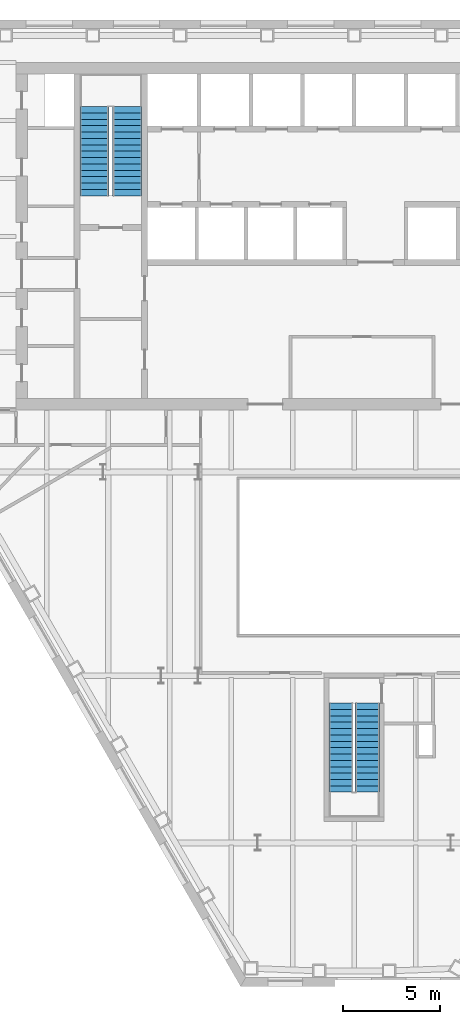
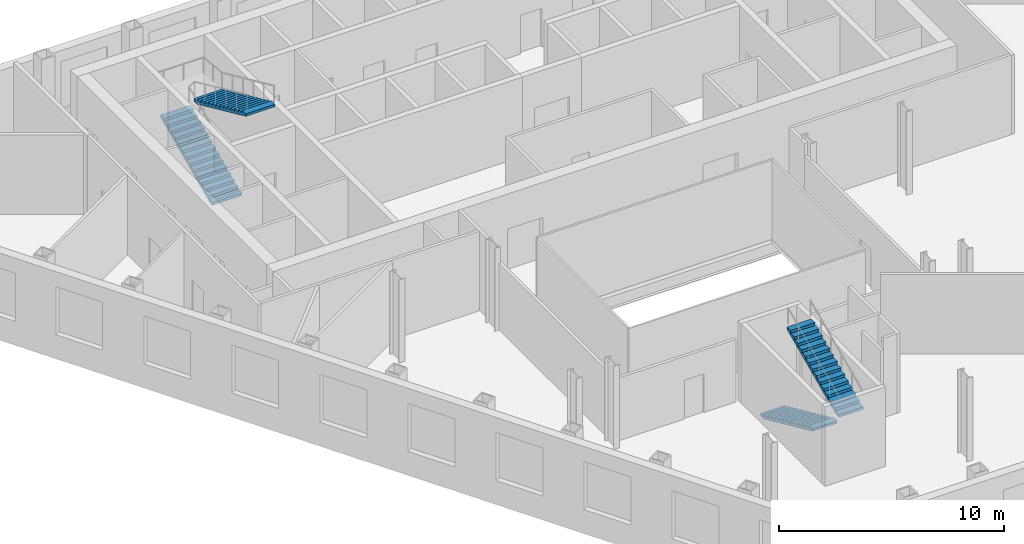
# One storey, part 9 of 11: 4 stair flights, 2 elements without a shape of their own.
"""IFC4 building model written with IfcOpenShell, lengths in metres."""

from ifc_helpers import new_model, si_unit, direction, frame, origin, place, context, subcontext, project, spatial, polygons, material, type_object, element, aggregate, save


model = new_model("IFC4")

# Units and contexts
model_context = context("Model", 3, precision=1e-05, world=origin(), true_north=direction((0.0, 1.0)))
body_context = subcontext(model_context, "Body", "Model", "MODEL_VIEW")
ifc_project = project(units=[si_unit("LENGTHUNIT", "METRE"), si_unit("AREAUNIT", "SQUARE_METRE"), si_unit("VOLUMEUNIT", "CUBIC_METRE"), si_unit("PLANEANGLEUNIT", "RADIAN"), si_unit("MASSUNIT", "GRAM", prefix="KILO")], contexts=[model_context])

# Site, building, storey
site_placement = place(None, origin())
site = spatial("IfcSite", under=ifc_project, at=site_placement, CompositionType="ELEMENT")
building_placement = place(site_placement, origin())
building = spatial("IfcBuilding", under=site, at=building_placement, Name="Njiva Tower", CompositionType="ELEMENT")
storey_placement = place(building_placement, frame((0.0, 0.0, 42.3)))
storey = spatial("IfcBuildingStorey", under=building, at=storey_placement, Name="L08", CompositionType="ELEMENT", Elevation=42.3)

# Stair, stair flights
ifc_material = material(Name="Concrete C40/50", Category="concrete")
stair_type_1 = type_object("IfcStairType", Name="ST1 Exit stair 1250", PredefinedType="HALF_TURN_STAIR", material=ifc_material)
stair_1_placement = place(storey_placement, origin())
stair_1 = element("IfcStair", 1, at=stair_1_placement, inside=storey, type_object=stair_type_1, Name="Stair C", PredefinedType="HALF_TURN_STAIR")
stair_flight_type_1 = type_object("IfcStairFlightType", Name="FL1 Stair flight 1250", PredefinedType="STRAIGHT", material=ifc_material)
stair_flight_1_placement = place(storey_placement, frame((-0.675, -15.16, 0.0), z_axis=(0.0, 0.0, 1.0), x_axis=(0.0, -1.0, 0.0)))
stair_flight_1 = element("IfcStairFlight", 2, at=stair_flight_1_placement, type_object=stair_flight_type_1, Name="ST-C flight 1", NumberOfRisers=15, NumberOfTreads=14, PredefinedType="STRAIGHT", RiserHeight=0.15, TreadLength=0.33, context=body_context, shape_type="Tessellation", body=[
    polygons([(0.0, 0.625, 0.0), (0.0, 0.3125, 0.0), (0.0, 0.0, 0.0), (0.0, -0.3125, 0.0), (0.0, -0.625, 0.0), (0.0, 0.625, 0.15), (0.0, 0.3125, 0.15), (0.0, 0.0, 0.15), (0.0, -0.3125, 0.15), (0.0, -0.625, 0.15), (0.33, 0.625, 0.15), (0.33, 0.3125, 0.15), (0.33, 0.0, 0.15), (0.33, -0.3125, 0.15), (0.33, -0.625, 0.15), (0.33, 0.625, 0.3), (0.33, 0.3125, 0.3), (0.33, 0.0, 0.3), (0.33, -0.3125, 0.3), (0.33, -0.625, 0.3), (0.66, 0.625, 0.3), (0.66, 0.3125, 0.3), (0.66, 0.0, 0.3), (0.66, -0.3125, 0.3), (0.66, -0.625, 0.3), (0.66, 0.625, 0.45), (0.66, 0.3125, 0.45), (0.66, 0.0, 0.45), (0.66, -0.3125, 0.45), (0.66, -0.625, 0.45), (0.99, 0.625, 0.45), (0.99, 0.3125, 0.45), (0.99, 0.0, 0.45), (0.99, -0.3125, 0.45), (0.99, -0.625, 0.45), (0.99, 0.625, 0.6), (0.99, 0.3125, 0.6), (0.99, 0.0, 0.6), (0.99, -0.3125, 0.6), (0.99, -0.625, 0.6), (1.32, 0.625, 0.6), (1.32, 0.3125, 0.6), (1.32, 0.0, 0.6), (1.32, -0.3125, 0.6), (1.32, -0.625, 0.6), (1.32, 0.625, 0.75), (1.32, 0.3125, 0.75), (1.32, 0.0, 0.75), (1.32, -0.3125, 0.75), (1.32, -0.625, 0.75), (1.65, 0.625, 0.75), (1.65, 0.3125, 0.75), (1.65, 0.0, 0.75), (1.65, -0.3125, 0.75), (1.65, -0.625, 0.75), (1.65, 0.625, 0.9), (1.65, 0.3125, 0.9), (1.65, 0.0, 0.9), (1.65, -0.3125, 0.9), (1.65, -0.625, 0.9), (1.98, 0.625, 0.9), (1.98, 0.3125, 0.9), (1.98, 0.0, 0.9), (1.98, -0.3125, 0.9), (1.98, -0.625, 0.9), (1.98, 0.625, 1.05), (1.98, 0.3125, 1.05), (1.98, 0.0, 1.05), (1.98, -0.3125, 1.05), (1.98, -0.625, 1.05), (2.31, 0.625, 1.05), (2.31, 0.3125, 1.05), (2.31, 0.0, 1.05), (2.31, -0.3125, 1.05), (2.31, -0.625, 1.05), (2.31, 0.625, 1.2), (2.31, 0.3125, 1.2), (2.31, 0.0, 1.2), (2.31, -0.3125, 1.2), (2.31, -0.625, 1.2), (2.64, 0.625, 1.2), (2.64, 0.3125, 1.2), (2.64, 0.0, 1.2), (2.64, -0.3125, 1.2), (2.64, -0.625, 1.2), (2.64, 0.625, 1.35), (2.64, 0.3125, 1.35), (2.64, 0.0, 1.35), (2.64, -0.3125, 1.35), (2.64, -0.625, 1.35), (2.97, 0.625, 1.35), (2.97, 0.3125, 1.35), (2.97, 0.0, 1.35), (2.97, -0.3125, 1.35), (2.97, -0.625, 1.35), (2.97, 0.625, 1.5), (2.97, 0.3125, 1.5), (2.97, 0.0, 1.5), (2.97, -0.3125, 1.5), (2.97, -0.625, 1.5), (3.3, 0.625, 1.5), (3.3, 0.3125, 1.5), (3.3, 0.0, 1.5), (3.3, -0.3125, 1.5), (3.3, -0.625, 1.5), (3.3, 0.625, 1.65), (3.3, 0.3125, 1.65), (3.3, 0.0, 1.65), (3.3, -0.3125, 1.65), (3.3, -0.625, 1.65), (3.63, 0.625, 1.65), (3.63, 0.3125, 1.65), (3.63, 0.0, 1.65), (3.63, -0.3125, 1.65), (3.63, -0.625, 1.65), (3.63, 0.625, 1.8), (3.63, 0.3125, 1.8), (3.63, 0.0, 1.8), (3.63, -0.3125, 1.8), (3.63, -0.625, 1.8), (3.96, 0.625, 1.8), (3.96, 0.3125, 1.8), (3.96, 0.0, 1.8), (3.96, -0.3125, 1.8), (3.96, -0.625, 1.8), (3.96, 0.625, 1.95), (3.96, 0.3125, 1.95), (3.96, 0.0, 1.95), (3.96, -0.3125, 1.95), (3.96, -0.625, 1.95), (4.29, 0.625, 1.95), (4.29, 0.3125, 1.95), (4.29, 0.0, 1.95), (4.29, -0.3125, 1.95), (4.29, -0.625, 1.95), (4.29, 0.625, 2.1), (4.29, 0.3125, 2.1), (4.29, 0.0, 2.1), (4.29, -0.3125, 2.1), (4.29, -0.625, 2.1), (4.62, 0.625, 2.1), (4.62, 0.3125, 2.1), (4.62, 0.0, 2.1), (4.62, -0.3125, 2.1), (4.62, -0.625, 2.1), (4.62, 0.625, 1.9682), (4.62, 0.3125, 1.9682), (4.62, 0.0, 1.9682), (4.62, -0.3125, 1.9682), (4.62, -0.625, 1.9682), (0.29, 0.625, 0.0), (0.29, 0.3125, 0.0), (0.29, 0.0, 0.0), (0.29, -0.3125, 0.0), (0.29, -0.625, 0.0)], [[[1, 6, 11, 16, 21, 26, 31, 36, 41, 46, 51, 56, 61, 66, 71, 76, 81, 86, 91, 96, 101, 106, 111, 116, 121, 126, 131, 136, 141, 146, 151]], [[155, 150, 145, 140, 135, 130, 125, 120, 115, 110, 105, 100, 95, 90, 85, 80, 75, 70, 65, 60, 55, 50, 45, 40, 35, 30, 25, 20, 15, 10, 5]], [[6, 1, 2, 7]], [[7, 2, 3, 8]], [[8, 3, 4, 9]], [[9, 4, 5, 10]], [[11, 6, 7, 12]], [[12, 7, 8, 13]], [[13, 8, 9, 14]], [[14, 9, 10, 15]], [[16, 11, 12, 17]], [[17, 12, 13, 18]], [[18, 13, 14, 19]], [[19, 14, 15, 20]], [[21, 16, 17, 22]], [[22, 17, 18, 23]], [[23, 18, 19, 24]], [[24, 19, 20, 25]], [[26, 21, 22, 27]], [[27, 22, 23, 28]], [[28, 23, 24, 29]], [[29, 24, 25, 30]], [[31, 26, 27, 32]], [[32, 27, 28, 33]], [[33, 28, 29, 34]], [[34, 29, 30, 35]], [[36, 31, 32, 37]], [[37, 32, 33, 38]], [[38, 33, 34, 39]], [[39, 34, 35, 40]], [[41, 36, 37, 42]], [[42, 37, 38, 43]], [[43, 38, 39, 44]], [[44, 39, 40, 45]], [[46, 41, 42, 47]], [[47, 42, 43, 48]], [[48, 43, 44, 49]], [[49, 44, 45, 50]], [[51, 46, 47, 52]], [[52, 47, 48, 53]], [[53, 48, 49, 54]], [[54, 49, 50, 55]], [[56, 51, 52, 57]], [[57, 52, 53, 58]], [[58, 53, 54, 59]], [[59, 54, 55, 60]], [[61, 56, 57, 62]], [[62, 57, 58, 63]], [[63, 58, 59, 64]], [[64, 59, 60, 65]], [[66, 61, 62, 67]], [[67, 62, 63, 68]], [[68, 63, 64, 69]], [[69, 64, 65, 70]], [[71, 66, 67, 72]], [[72, 67, 68, 73]], [[73, 68, 69, 74]], [[74, 69, 70, 75]], [[76, 71, 72, 77]], [[77, 72, 73, 78]], [[78, 73, 74, 79]], [[79, 74, 75, 80]], [[81, 76, 77, 82]], [[82, 77, 78, 83]], [[83, 78, 79, 84]], [[84, 79, 80, 85]], [[86, 81, 82, 87]], [[87, 82, 83, 88]], [[88, 83, 84, 89]], [[89, 84, 85, 90]], [[91, 86, 87, 92]], [[92, 87, 88, 93]], [[93, 88, 89, 94]], [[94, 89, 90, 95]], [[96, 91, 92, 97]], [[97, 92, 93, 98]], [[98, 93, 94, 99]], [[99, 94, 95, 100]], [[101, 96, 97, 102]], [[102, 97, 98, 103]], [[103, 98, 99, 104]], [[104, 99, 100, 105]], [[106, 101, 102, 107]], [[107, 102, 103, 108]], [[108, 103, 104, 109]], [[109, 104, 105, 110]], [[111, 106, 107, 112]], [[112, 107, 108, 113]], [[113, 108, 109, 114]], [[114, 109, 110, 115]], [[116, 111, 112, 117]], [[117, 112, 113, 118]], [[118, 113, 114, 119]], [[119, 114, 115, 120]], [[121, 116, 117, 122]], [[122, 117, 118, 123]], [[123, 118, 119, 124]], [[124, 119, 120, 125]], [[126, 121, 122, 127]], [[127, 122, 123, 128]], [[128, 123, 124, 129]], [[129, 124, 125, 130]], [[131, 126, 127, 132]], [[132, 127, 128, 133]], [[133, 128, 129, 134]], [[134, 129, 130, 135]], [[136, 131, 132, 137]], [[137, 132, 133, 138]], [[138, 133, 134, 139]], [[139, 134, 135, 140]], [[141, 136, 137, 142]], [[142, 137, 138, 143]], [[143, 138, 139, 144]], [[144, 139, 140, 145]], [[146, 141, 142, 147]], [[147, 142, 143, 148]], [[148, 143, 144, 149]], [[149, 144, 145, 150]], [[151, 146, 147, 152]], [[152, 147, 148, 153]], [[153, 148, 149, 154]], [[154, 149, 150, 155]], [[1, 151, 152, 2]], [[2, 152, 153, 3]], [[3, 153, 154, 4]], [[4, 154, 155, 5]]], closed=True),
])
stair_flight_2_placement = place(storey_placement, frame((0.675, -19.78, 2.25), z_axis=(0.0, 0.0, 1.0), x_axis=(0.0, 1.0, 0.0)))
stair_flight_2 = element("IfcStairFlight", 3, at=stair_flight_2_placement, type_object=stair_flight_type_1, Name="ST-C flight 2", NumberOfRisers=15, NumberOfTreads=14, PredefinedType="STRAIGHT", RiserHeight=0.15, TreadLength=0.33, context=body_context, shape_type="Tessellation", body=[
    polygons([(0.0, 0.625, 0.0), (0.0, 0.3125, 0.0), (0.0, 0.0, 0.0), (0.0, -0.3125, 0.0), (0.0, -0.625, 0.0), (0.0, 0.625, 0.15), (0.0, 0.3125, 0.15), (0.0, 0.0, 0.15), (0.0, -0.3125, 0.15), (0.0, -0.625, 0.15), (0.33, 0.625, 0.15), (0.33, 0.3125, 0.15), (0.33, 0.0, 0.15), (0.33, -0.3125, 0.15), (0.33, -0.625, 0.15), (0.33, 0.625, 0.3), (0.33, 0.3125, 0.3), (0.33, 0.0, 0.3), (0.33, -0.3125, 0.3), (0.33, -0.625, 0.3), (0.66, 0.625, 0.3), (0.66, 0.3125, 0.3), (0.66, 0.0, 0.3), (0.66, -0.3125, 0.3), (0.66, -0.625, 0.3), (0.66, 0.625, 0.45), (0.66, 0.3125, 0.45), (0.66, 0.0, 0.45), (0.66, -0.3125, 0.45), (0.66, -0.625, 0.45), (0.99, 0.625, 0.45), (0.99, 0.3125, 0.45), (0.99, 0.0, 0.45), (0.99, -0.3125, 0.45), (0.99, -0.625, 0.45), (0.99, 0.625, 0.6), (0.99, 0.3125, 0.6), (0.99, 0.0, 0.6), (0.99, -0.3125, 0.6), (0.99, -0.625, 0.6), (1.32, 0.625, 0.6), (1.32, 0.3125, 0.6), (1.32, 0.0, 0.6), (1.32, -0.3125, 0.6), (1.32, -0.625, 0.6), (1.32, 0.625, 0.75), (1.32, 0.3125, 0.75), (1.32, 0.0, 0.75), (1.32, -0.3125, 0.75), (1.32, -0.625, 0.75), (1.65, 0.625, 0.75), (1.65, 0.3125, 0.75), (1.65, 0.0, 0.75), (1.65, -0.3125, 0.75), (1.65, -0.625, 0.75), (1.65, 0.625, 0.9), (1.65, 0.3125, 0.9), (1.65, 0.0, 0.9), (1.65, -0.3125, 0.9), (1.65, -0.625, 0.9), (1.98, 0.625, 0.9), (1.98, 0.3125, 0.9), (1.98, 0.0, 0.9), (1.98, -0.3125, 0.9), (1.98, -0.625, 0.9), (1.98, 0.625, 1.05), (1.98, 0.3125, 1.05), (1.98, 0.0, 1.05), (1.98, -0.3125, 1.05), (1.98, -0.625, 1.05), (2.31, 0.625, 1.05), (2.31, 0.3125, 1.05), (2.31, 0.0, 1.05), (2.31, -0.3125, 1.05), (2.31, -0.625, 1.05), (2.31, 0.625, 1.2), (2.31, 0.3125, 1.2), (2.31, 0.0, 1.2), (2.31, -0.3125, 1.2), (2.31, -0.625, 1.2), (2.64, 0.625, 1.2), (2.64, 0.3125, 1.2), (2.64, 0.0, 1.2), (2.64, -0.3125, 1.2), (2.64, -0.625, 1.2), (2.64, 0.625, 1.35), (2.64, 0.3125, 1.35), (2.64, 0.0, 1.35), (2.64, -0.3125, 1.35), (2.64, -0.625, 1.35), (2.97, 0.625, 1.35), (2.97, 0.3125, 1.35), (2.97, 0.0, 1.35), (2.97, -0.3125, 1.35), (2.97, -0.625, 1.35), (2.97, 0.625, 1.5), (2.97, 0.3125, 1.5), (2.97, 0.0, 1.5), (2.97, -0.3125, 1.5), (2.97, -0.625, 1.5), (3.3, 0.625, 1.5), (3.3, 0.3125, 1.5), (3.3, 0.0, 1.5), (3.3, -0.3125, 1.5), (3.3, -0.625, 1.5), (3.3, 0.625, 1.65), (3.3, 0.3125, 1.65), (3.3, 0.0, 1.65), (3.3, -0.3125, 1.65), (3.3, -0.625, 1.65), (3.63, 0.625, 1.65), (3.63, 0.3125, 1.65), (3.63, 0.0, 1.65), (3.63, -0.3125, 1.65), (3.63, -0.625, 1.65), (3.63, 0.625, 1.8), (3.63, 0.3125, 1.8), (3.63, 0.0, 1.8), (3.63, -0.3125, 1.8), (3.63, -0.625, 1.8), (3.96, 0.625, 1.8), (3.96, 0.3125, 1.8), (3.96, 0.0, 1.8), (3.96, -0.3125, 1.8), (3.96, -0.625, 1.8), (3.96, 0.625, 1.95), (3.96, 0.3125, 1.95), (3.96, 0.0, 1.95), (3.96, -0.3125, 1.95), (3.96, -0.625, 1.95), (4.29, 0.625, 1.95), (4.29, 0.3125, 1.95), (4.29, 0.0, 1.95), (4.29, -0.3125, 1.95), (4.29, -0.625, 1.95), (4.29, 0.625, 2.1), (4.29, 0.3125, 2.1), (4.29, 0.0, 2.1), (4.29, -0.3125, 2.1), (4.29, -0.625, 2.1), (4.62, 0.625, 2.1), (4.62, 0.3125, 2.1), (4.62, 0.0, 2.1), (4.62, -0.3125, 2.1), (4.62, -0.625, 2.1), (4.62, 0.625, 1.9682), (4.62, 0.3125, 1.9682), (4.62, 0.0, 1.9682), (4.62, -0.3125, 1.9682), (4.62, -0.625, 1.9682), (0.29, 0.625, 0.0), (0.29, 0.3125, 0.0), (0.29, 0.0, 0.0), (0.29, -0.3125, 0.0), (0.29, -0.625, 0.0)], [[[1, 6, 11, 16, 21, 26, 31, 36, 41, 46, 51, 56, 61, 66, 71, 76, 81, 86, 91, 96, 101, 106, 111, 116, 121, 126, 131, 136, 141, 146, 151]], [[155, 150, 145, 140, 135, 130, 125, 120, 115, 110, 105, 100, 95, 90, 85, 80, 75, 70, 65, 60, 55, 50, 45, 40, 35, 30, 25, 20, 15, 10, 5]], [[6, 1, 2, 7]], [[7, 2, 3, 8]], [[8, 3, 4, 9]], [[9, 4, 5, 10]], [[11, 6, 7, 12]], [[12, 7, 8, 13]], [[13, 8, 9, 14]], [[14, 9, 10, 15]], [[16, 11, 12, 17]], [[17, 12, 13, 18]], [[18, 13, 14, 19]], [[19, 14, 15, 20]], [[21, 16, 17, 22]], [[22, 17, 18, 23]], [[23, 18, 19, 24]], [[24, 19, 20, 25]], [[26, 21, 22, 27]], [[27, 22, 23, 28]], [[28, 23, 24, 29]], [[29, 24, 25, 30]], [[31, 26, 27, 32]], [[32, 27, 28, 33]], [[33, 28, 29, 34]], [[34, 29, 30, 35]], [[36, 31, 32, 37]], [[37, 32, 33, 38]], [[38, 33, 34, 39]], [[39, 34, 35, 40]], [[41, 36, 37, 42]], [[42, 37, 38, 43]], [[43, 38, 39, 44]], [[44, 39, 40, 45]], [[46, 41, 42, 47]], [[47, 42, 43, 48]], [[48, 43, 44, 49]], [[49, 44, 45, 50]], [[51, 46, 47, 52]], [[52, 47, 48, 53]], [[53, 48, 49, 54]], [[54, 49, 50, 55]], [[56, 51, 52, 57]], [[57, 52, 53, 58]], [[58, 53, 54, 59]], [[59, 54, 55, 60]], [[61, 56, 57, 62]], [[62, 57, 58, 63]], [[63, 58, 59, 64]], [[64, 59, 60, 65]], [[66, 61, 62, 67]], [[67, 62, 63, 68]], [[68, 63, 64, 69]], [[69, 64, 65, 70]], [[71, 66, 67, 72]], [[72, 67, 68, 73]], [[73, 68, 69, 74]], [[74, 69, 70, 75]], [[76, 71, 72, 77]], [[77, 72, 73, 78]], [[78, 73, 74, 79]], [[79, 74, 75, 80]], [[81, 76, 77, 82]], [[82, 77, 78, 83]], [[83, 78, 79, 84]], [[84, 79, 80, 85]], [[86, 81, 82, 87]], [[87, 82, 83, 88]], [[88, 83, 84, 89]], [[89, 84, 85, 90]], [[91, 86, 87, 92]], [[92, 87, 88, 93]], [[93, 88, 89, 94]], [[94, 89, 90, 95]], [[96, 91, 92, 97]], [[97, 92, 93, 98]], [[98, 93, 94, 99]], [[99, 94, 95, 100]], [[101, 96, 97, 102]], [[102, 97, 98, 103]], [[103, 98, 99, 104]], [[104, 99, 100, 105]], [[106, 101, 102, 107]], [[107, 102, 103, 108]], [[108, 103, 104, 109]], [[109, 104, 105, 110]], [[111, 106, 107, 112]], [[112, 107, 108, 113]], [[113, 108, 109, 114]], [[114, 109, 110, 115]], [[116, 111, 112, 117]], [[117, 112, 113, 118]], [[118, 113, 114, 119]], [[119, 114, 115, 120]], [[121, 116, 117, 122]], [[122, 117, 118, 123]], [[123, 118, 119, 124]], [[124, 119, 120, 125]], [[126, 121, 122, 127]], [[127, 122, 123, 128]], [[128, 123, 124, 129]], [[129, 124, 125, 130]], [[131, 126, 127, 132]], [[132, 127, 128, 133]], [[133, 128, 129, 134]], [[134, 129, 130, 135]], [[136, 131, 132, 137]], [[137, 132, 133, 138]], [[138, 133, 134, 139]], [[139, 134, 135, 140]], [[141, 136, 137, 142]], [[142, 137, 138, 143]], [[143, 138, 139, 144]], [[144, 139, 140, 145]], [[146, 141, 142, 147]], [[147, 142, 143, 148]], [[148, 143, 144, 149]], [[149, 144, 145, 150]], [[151, 146, 147, 152]], [[152, 147, 148, 153]], [[153, 148, 149, 154]], [[154, 149, 150, 155]], [[1, 151, 152, 2]], [[2, 152, 153, 3]], [[3, 153, 154, 4]], [[4, 154, 155, 5]]], closed=True),
])
aggregate(stair_1, [stair_flight_1, stair_flight_2])

stair_type_2 = type_object("IfcStairType", Name="ST4 Exit stair 1500", PredefinedType="HALF_TURN_STAIR", material=ifc_material)
stair_2_placement = place(storey_placement, origin())
stair_2 = element("IfcStair", 4, at=stair_2_placement, inside=storey, type_object=stair_type_2, Name="Stair A", PredefinedType="HALF_TURN_STAIR")
stair_flight_type_2 = type_object("IfcStairFlightType", Name="FL4 Stair flight 1500", PredefinedType="STRAIGHT", material=ifc_material)
stair_flight_3_placement = place(storey_placement, frame((-13.45, 11.1, 0.0), z_axis=(0.0, 0.0, 1.0), x_axis=(0.0, 1.0, 0.0)))
stair_flight_3 = element("IfcStairFlight", 5, at=stair_flight_3_placement, type_object=stair_flight_type_2, Name="ST-A flight 1", NumberOfRisers=15, NumberOfTreads=14, PredefinedType="STRAIGHT", RiserHeight=0.15, TreadLength=0.33, context=body_context, shape_type="Tessellation", body=[
    polygons([(0.0, 0.75, 0.0), (0.0, 0.375, 0.0), (0.0, 0.0, 0.0), (0.0, -0.375, 0.0), (0.0, -0.75, 0.0), (0.0, 0.75, 0.15), (0.0, 0.375, 0.15), (0.0, 0.0, 0.15), (0.0, -0.375, 0.15), (0.0, -0.75, 0.15), (0.33, 0.75, 0.15), (0.33, 0.375, 0.15), (0.33, 0.0, 0.15), (0.33, -0.375, 0.15), (0.33, -0.75, 0.15), (0.33, 0.75, 0.3), (0.33, 0.375, 0.3), (0.33, 0.0, 0.3), (0.33, -0.375, 0.3), (0.33, -0.75, 0.3), (0.66, 0.75, 0.3), (0.66, 0.375, 0.3), (0.66, 0.0, 0.3), (0.66, -0.375, 0.3), (0.66, -0.75, 0.3), (0.66, 0.75, 0.45), (0.66, 0.375, 0.45), (0.66, 0.0, 0.45), (0.66, -0.375, 0.45), (0.66, -0.75, 0.45), (0.99, 0.75, 0.45), (0.99, 0.375, 0.45), (0.99, 0.0, 0.45), (0.99, -0.375, 0.45), (0.99, -0.75, 0.45), (0.99, 0.75, 0.6), (0.99, 0.375, 0.6), (0.99, 0.0, 0.6), (0.99, -0.375, 0.6), (0.99, -0.75, 0.6), (1.32, 0.75, 0.6), (1.32, 0.375, 0.6), (1.32, 0.0, 0.6), (1.32, -0.375, 0.6), (1.32, -0.75, 0.6), (1.32, 0.75, 0.75), (1.32, 0.375, 0.75), (1.32, 0.0, 0.75), (1.32, -0.375, 0.75), (1.32, -0.75, 0.75), (1.65, 0.75, 0.75), (1.65, 0.375, 0.75), (1.65, 0.0, 0.75), (1.65, -0.375, 0.75), (1.65, -0.75, 0.75), (1.65, 0.75, 0.9), (1.65, 0.375, 0.9), (1.65, 0.0, 0.9), (1.65, -0.375, 0.9), (1.65, -0.75, 0.9), (1.98, 0.75, 0.9), (1.98, 0.375, 0.9), (1.98, 0.0, 0.9), (1.98, -0.375, 0.9), (1.98, -0.75, 0.9), (1.98, 0.75, 1.05), (1.98, 0.375, 1.05), (1.98, 0.0, 1.05), (1.98, -0.375, 1.05), (1.98, -0.75, 1.05), (2.31, 0.75, 1.05), (2.31, 0.375, 1.05), (2.31, 0.0, 1.05), (2.31, -0.375, 1.05), (2.31, -0.75, 1.05), (2.31, 0.75, 1.2), (2.31, 0.375, 1.2), (2.31, 0.0, 1.2), (2.31, -0.375, 1.2), (2.31, -0.75, 1.2), (2.64, 0.75, 1.2), (2.64, 0.375, 1.2), (2.64, 0.0, 1.2), (2.64, -0.375, 1.2), (2.64, -0.75, 1.2), (2.64, 0.75, 1.35), (2.64, 0.375, 1.35), (2.64, 0.0, 1.35), (2.64, -0.375, 1.35), (2.64, -0.75, 1.35), (2.97, 0.75, 1.35), (2.97, 0.375, 1.35), (2.97, 0.0, 1.35), (2.97, -0.375, 1.35), (2.97, -0.75, 1.35), (2.97, 0.75, 1.5), (2.97, 0.375, 1.5), (2.97, 0.0, 1.5), (2.97, -0.375, 1.5), (2.97, -0.75, 1.5), (3.3, 0.75, 1.5), (3.3, 0.375, 1.5), (3.3, 0.0, 1.5), (3.3, -0.375, 1.5), (3.3, -0.75, 1.5), (3.3, 0.75, 1.65), (3.3, 0.375, 1.65), (3.3, 0.0, 1.65), (3.3, -0.375, 1.65), (3.3, -0.75, 1.65), (3.63, 0.75, 1.65), (3.63, 0.375, 1.65), (3.63, 0.0, 1.65), (3.63, -0.375, 1.65), (3.63, -0.75, 1.65), (3.63, 0.75, 1.8), (3.63, 0.375, 1.8), (3.63, 0.0, 1.8), (3.63, -0.375, 1.8), (3.63, -0.75, 1.8), (3.96, 0.75, 1.8), (3.96, 0.375, 1.8), (3.96, 0.0, 1.8), (3.96, -0.375, 1.8), (3.96, -0.75, 1.8), (3.96, 0.75, 1.95), (3.96, 0.375, 1.95), (3.96, 0.0, 1.95), (3.96, -0.375, 1.95), (3.96, -0.75, 1.95), (4.29, 0.75, 1.95), (4.29, 0.375, 1.95), (4.29, 0.0, 1.95), (4.29, -0.375, 1.95), (4.29, -0.75, 1.95), (4.29, 0.75, 2.1), (4.29, 0.375, 2.1), (4.29, 0.0, 2.1), (4.29, -0.375, 2.1), (4.29, -0.75, 2.1), (4.62, 0.75, 2.1), (4.62, 0.375, 2.1), (4.62, 0.0, 2.1), (4.62, -0.375, 2.1), (4.62, -0.75, 2.1), (4.62, 0.75, 1.9682), (4.62, 0.375, 1.9682), (4.62, 0.0, 1.9682), (4.62, -0.375, 1.9682), (4.62, -0.75, 1.9682), (0.29, 0.75, 0.0), (0.29, 0.375, 0.0), (0.29, 0.0, 0.0), (0.29, -0.375, 0.0), (0.29, -0.75, 0.0)], [[[1, 6, 11, 16, 21, 26, 31, 36, 41, 46, 51, 56, 61, 66, 71, 76, 81, 86, 91, 96, 101, 106, 111, 116, 121, 126, 131, 136, 141, 146, 151]], [[155, 150, 145, 140, 135, 130, 125, 120, 115, 110, 105, 100, 95, 90, 85, 80, 75, 70, 65, 60, 55, 50, 45, 40, 35, 30, 25, 20, 15, 10, 5]], [[6, 1, 2, 7]], [[7, 2, 3, 8]], [[8, 3, 4, 9]], [[9, 4, 5, 10]], [[11, 6, 7, 12]], [[12, 7, 8, 13]], [[13, 8, 9, 14]], [[14, 9, 10, 15]], [[16, 11, 12, 17]], [[17, 12, 13, 18]], [[18, 13, 14, 19]], [[19, 14, 15, 20]], [[21, 16, 17, 22]], [[22, 17, 18, 23]], [[23, 18, 19, 24]], [[24, 19, 20, 25]], [[26, 21, 22, 27]], [[27, 22, 23, 28]], [[28, 23, 24, 29]], [[29, 24, 25, 30]], [[31, 26, 27, 32]], [[32, 27, 28, 33]], [[33, 28, 29, 34]], [[34, 29, 30, 35]], [[36, 31, 32, 37]], [[37, 32, 33, 38]], [[38, 33, 34, 39]], [[39, 34, 35, 40]], [[41, 36, 37, 42]], [[42, 37, 38, 43]], [[43, 38, 39, 44]], [[44, 39, 40, 45]], [[46, 41, 42, 47]], [[47, 42, 43, 48]], [[48, 43, 44, 49]], [[49, 44, 45, 50]], [[51, 46, 47, 52]], [[52, 47, 48, 53]], [[53, 48, 49, 54]], [[54, 49, 50, 55]], [[56, 51, 52, 57]], [[57, 52, 53, 58]], [[58, 53, 54, 59]], [[59, 54, 55, 60]], [[61, 56, 57, 62]], [[62, 57, 58, 63]], [[63, 58, 59, 64]], [[64, 59, 60, 65]], [[66, 61, 62, 67]], [[67, 62, 63, 68]], [[68, 63, 64, 69]], [[69, 64, 65, 70]], [[71, 66, 67, 72]], [[72, 67, 68, 73]], [[73, 68, 69, 74]], [[74, 69, 70, 75]], [[76, 71, 72, 77]], [[77, 72, 73, 78]], [[78, 73, 74, 79]], [[79, 74, 75, 80]], [[81, 76, 77, 82]], [[82, 77, 78, 83]], [[83, 78, 79, 84]], [[84, 79, 80, 85]], [[86, 81, 82, 87]], [[87, 82, 83, 88]], [[88, 83, 84, 89]], [[89, 84, 85, 90]], [[91, 86, 87, 92]], [[92, 87, 88, 93]], [[93, 88, 89, 94]], [[94, 89, 90, 95]], [[96, 91, 92, 97]], [[97, 92, 93, 98]], [[98, 93, 94, 99]], [[99, 94, 95, 100]], [[101, 96, 97, 102]], [[102, 97, 98, 103]], [[103, 98, 99, 104]], [[104, 99, 100, 105]], [[106, 101, 102, 107]], [[107, 102, 103, 108]], [[108, 103, 104, 109]], [[109, 104, 105, 110]], [[111, 106, 107, 112]], [[112, 107, 108, 113]], [[113, 108, 109, 114]], [[114, 109, 110, 115]], [[116, 111, 112, 117]], [[117, 112, 113, 118]], [[118, 113, 114, 119]], [[119, 114, 115, 120]], [[121, 116, 117, 122]], [[122, 117, 118, 123]], [[123, 118, 119, 124]], [[124, 119, 120, 125]], [[126, 121, 122, 127]], [[127, 122, 123, 128]], [[128, 123, 124, 129]], [[129, 124, 125, 130]], [[131, 126, 127, 132]], [[132, 127, 128, 133]], [[133, 128, 129, 134]], [[134, 129, 130, 135]], [[136, 131, 132, 137]], [[137, 132, 133, 138]], [[138, 133, 134, 139]], [[139, 134, 135, 140]], [[141, 136, 137, 142]], [[142, 137, 138, 143]], [[143, 138, 139, 144]], [[144, 139, 140, 145]], [[146, 141, 142, 147]], [[147, 142, 143, 148]], [[148, 143, 144, 149]], [[149, 144, 145, 150]], [[151, 146, 147, 152]], [[152, 147, 148, 153]], [[153, 148, 149, 154]], [[154, 149, 150, 155]], [[1, 151, 152, 2]], [[2, 152, 153, 3]], [[3, 153, 154, 4]], [[4, 154, 155, 5]]], closed=True),
])
stair_flight_4_placement = place(storey_placement, frame((-11.75, 15.72, 2.25), z_axis=(0.0, 0.0, 1.0), x_axis=(0.0, -1.0, 0.0)))
stair_flight_4 = element("IfcStairFlight", 6, at=stair_flight_4_placement, type_object=stair_flight_type_2, Name="ST-A flight 2", NumberOfRisers=15, NumberOfTreads=14, PredefinedType="STRAIGHT", RiserHeight=0.15, TreadLength=0.33, context=body_context, shape_type="Tessellation", body=[
    polygons([(0.0, 0.75, 0.0), (0.0, 0.375, 0.0), (0.0, 0.0, 0.0), (0.0, -0.375, 0.0), (0.0, -0.75, 0.0), (0.0, 0.75, 0.15), (0.0, 0.375, 0.15), (0.0, 0.0, 0.15), (0.0, -0.375, 0.15), (0.0, -0.75, 0.15), (0.33, 0.75, 0.15), (0.33, 0.375, 0.15), (0.33, 0.0, 0.15), (0.33, -0.375, 0.15), (0.33, -0.75, 0.15), (0.33, 0.75, 0.3), (0.33, 0.375, 0.3), (0.33, 0.0, 0.3), (0.33, -0.375, 0.3), (0.33, -0.75, 0.3), (0.66, 0.75, 0.3), (0.66, 0.375, 0.3), (0.66, 0.0, 0.3), (0.66, -0.375, 0.3), (0.66, -0.75, 0.3), (0.66, 0.75, 0.45), (0.66, 0.375, 0.45), (0.66, 0.0, 0.45), (0.66, -0.375, 0.45), (0.66, -0.75, 0.45), (0.99, 0.75, 0.45), (0.99, 0.375, 0.45), (0.99, 0.0, 0.45), (0.99, -0.375, 0.45), (0.99, -0.75, 0.45), (0.99, 0.75, 0.6), (0.99, 0.375, 0.6), (0.99, 0.0, 0.6), (0.99, -0.375, 0.6), (0.99, -0.75, 0.6), (1.32, 0.75, 0.6), (1.32, 0.375, 0.6), (1.32, 0.0, 0.6), (1.32, -0.375, 0.6), (1.32, -0.75, 0.6), (1.32, 0.75, 0.75), (1.32, 0.375, 0.75), (1.32, 0.0, 0.75), (1.32, -0.375, 0.75), (1.32, -0.75, 0.75), (1.65, 0.75, 0.75), (1.65, 0.375, 0.75), (1.65, 0.0, 0.75), (1.65, -0.375, 0.75), (1.65, -0.75, 0.75), (1.65, 0.75, 0.9), (1.65, 0.375, 0.9), (1.65, 0.0, 0.9), (1.65, -0.375, 0.9), (1.65, -0.75, 0.9), (1.98, 0.75, 0.9), (1.98, 0.375, 0.9), (1.98, 0.0, 0.9), (1.98, -0.375, 0.9), (1.98, -0.75, 0.9), (1.98, 0.75, 1.05), (1.98, 0.375, 1.05), (1.98, 0.0, 1.05), (1.98, -0.375, 1.05), (1.98, -0.75, 1.05), (2.31, 0.75, 1.05), (2.31, 0.375, 1.05), (2.31, 0.0, 1.05), (2.31, -0.375, 1.05), (2.31, -0.75, 1.05), (2.31, 0.75, 1.2), (2.31, 0.375, 1.2), (2.31, 0.0, 1.2), (2.31, -0.375, 1.2), (2.31, -0.75, 1.2), (2.64, 0.75, 1.2), (2.64, 0.375, 1.2), (2.64, 0.0, 1.2), (2.64, -0.375, 1.2), (2.64, -0.75, 1.2), (2.64, 0.75, 1.35), (2.64, 0.375, 1.35), (2.64, 0.0, 1.35), (2.64, -0.375, 1.35), (2.64, -0.75, 1.35), (2.97, 0.75, 1.35), (2.97, 0.375, 1.35), (2.97, 0.0, 1.35), (2.97, -0.375, 1.35), (2.97, -0.75, 1.35), (2.97, 0.75, 1.5), (2.97, 0.375, 1.5), (2.97, 0.0, 1.5), (2.97, -0.375, 1.5), (2.97, -0.75, 1.5), (3.3, 0.75, 1.5), (3.3, 0.375, 1.5), (3.3, 0.0, 1.5), (3.3, -0.375, 1.5), (3.3, -0.75, 1.5), (3.3, 0.75, 1.65), (3.3, 0.375, 1.65), (3.3, 0.0, 1.65), (3.3, -0.375, 1.65), (3.3, -0.75, 1.65), (3.63, 0.75, 1.65), (3.63, 0.375, 1.65), (3.63, 0.0, 1.65), (3.63, -0.375, 1.65), (3.63, -0.75, 1.65), (3.63, 0.75, 1.8), (3.63, 0.375, 1.8), (3.63, 0.0, 1.8), (3.63, -0.375, 1.8), (3.63, -0.75, 1.8), (3.96, 0.75, 1.8), (3.96, 0.375, 1.8), (3.96, 0.0, 1.8), (3.96, -0.375, 1.8), (3.96, -0.75, 1.8), (3.96, 0.75, 1.95), (3.96, 0.375, 1.95), (3.96, 0.0, 1.95), (3.96, -0.375, 1.95), (3.96, -0.75, 1.95), (4.29, 0.75, 1.95), (4.29, 0.375, 1.95), (4.29, 0.0, 1.95), (4.29, -0.375, 1.95), (4.29, -0.75, 1.95), (4.29, 0.75, 2.1), (4.29, 0.375, 2.1), (4.29, 0.0, 2.1), (4.29, -0.375, 2.1), (4.29, -0.75, 2.1), (4.62, 0.75, 2.1), (4.62, 0.375, 2.1), (4.62, 0.0, 2.1), (4.62, -0.375, 2.1), (4.62, -0.75, 2.1), (4.62, 0.75, 1.9682), (4.62, 0.375, 1.9682), (4.62, 0.0, 1.9682), (4.62, -0.375, 1.9682), (4.62, -0.75, 1.9682), (0.29, 0.75, 0.0), (0.29, 0.375, 0.0), (0.29, 0.0, 0.0), (0.29, -0.375, 0.0), (0.29, -0.75, 0.0)], [[[1, 6, 11, 16, 21, 26, 31, 36, 41, 46, 51, 56, 61, 66, 71, 76, 81, 86, 91, 96, 101, 106, 111, 116, 121, 126, 131, 136, 141, 146, 151]], [[155, 150, 145, 140, 135, 130, 125, 120, 115, 110, 105, 100, 95, 90, 85, 80, 75, 70, 65, 60, 55, 50, 45, 40, 35, 30, 25, 20, 15, 10, 5]], [[6, 1, 2, 7]], [[7, 2, 3, 8]], [[8, 3, 4, 9]], [[9, 4, 5, 10]], [[11, 6, 7, 12]], [[12, 7, 8, 13]], [[13, 8, 9, 14]], [[14, 9, 10, 15]], [[16, 11, 12, 17]], [[17, 12, 13, 18]], [[18, 13, 14, 19]], [[19, 14, 15, 20]], [[21, 16, 17, 22]], [[22, 17, 18, 23]], [[23, 18, 19, 24]], [[24, 19, 20, 25]], [[26, 21, 22, 27]], [[27, 22, 23, 28]], [[28, 23, 24, 29]], [[29, 24, 25, 30]], [[31, 26, 27, 32]], [[32, 27, 28, 33]], [[33, 28, 29, 34]], [[34, 29, 30, 35]], [[36, 31, 32, 37]], [[37, 32, 33, 38]], [[38, 33, 34, 39]], [[39, 34, 35, 40]], [[41, 36, 37, 42]], [[42, 37, 38, 43]], [[43, 38, 39, 44]], [[44, 39, 40, 45]], [[46, 41, 42, 47]], [[47, 42, 43, 48]], [[48, 43, 44, 49]], [[49, 44, 45, 50]], [[51, 46, 47, 52]], [[52, 47, 48, 53]], [[53, 48, 49, 54]], [[54, 49, 50, 55]], [[56, 51, 52, 57]], [[57, 52, 53, 58]], [[58, 53, 54, 59]], [[59, 54, 55, 60]], [[61, 56, 57, 62]], [[62, 57, 58, 63]], [[63, 58, 59, 64]], [[64, 59, 60, 65]], [[66, 61, 62, 67]], [[67, 62, 63, 68]], [[68, 63, 64, 69]], [[69, 64, 65, 70]], [[71, 66, 67, 72]], [[72, 67, 68, 73]], [[73, 68, 69, 74]], [[74, 69, 70, 75]], [[76, 71, 72, 77]], [[77, 72, 73, 78]], [[78, 73, 74, 79]], [[79, 74, 75, 80]], [[81, 76, 77, 82]], [[82, 77, 78, 83]], [[83, 78, 79, 84]], [[84, 79, 80, 85]], [[86, 81, 82, 87]], [[87, 82, 83, 88]], [[88, 83, 84, 89]], [[89, 84, 85, 90]], [[91, 86, 87, 92]], [[92, 87, 88, 93]], [[93, 88, 89, 94]], [[94, 89, 90, 95]], [[96, 91, 92, 97]], [[97, 92, 93, 98]], [[98, 93, 94, 99]], [[99, 94, 95, 100]], [[101, 96, 97, 102]], [[102, 97, 98, 103]], [[103, 98, 99, 104]], [[104, 99, 100, 105]], [[106, 101, 102, 107]], [[107, 102, 103, 108]], [[108, 103, 104, 109]], [[109, 104, 105, 110]], [[111, 106, 107, 112]], [[112, 107, 108, 113]], [[113, 108, 109, 114]], [[114, 109, 110, 115]], [[116, 111, 112, 117]], [[117, 112, 113, 118]], [[118, 113, 114, 119]], [[119, 114, 115, 120]], [[121, 116, 117, 122]], [[122, 117, 118, 123]], [[123, 118, 119, 124]], [[124, 119, 120, 125]], [[126, 121, 122, 127]], [[127, 122, 123, 128]], [[128, 123, 124, 129]], [[129, 124, 125, 130]], [[131, 126, 127, 132]], [[132, 127, 128, 133]], [[133, 128, 129, 134]], [[134, 129, 130, 135]], [[136, 131, 132, 137]], [[137, 132, 133, 138]], [[138, 133, 134, 139]], [[139, 134, 135, 140]], [[141, 136, 137, 142]], [[142, 137, 138, 143]], [[143, 138, 139, 144]], [[144, 139, 140, 145]], [[146, 141, 142, 147]], [[147, 142, 143, 148]], [[148, 143, 144, 149]], [[149, 144, 145, 150]], [[151, 146, 147, 152]], [[152, 147, 148, 153]], [[153, 148, 149, 154]], [[154, 149, 150, 155]], [[1, 151, 152, 2]], [[2, 152, 153, 3]], [[3, 153, 154, 4]], [[4, 154, 155, 5]]], closed=True),
])
aggregate(stair_2, [stair_flight_3, stair_flight_4])

save(model, "model.ifc")
